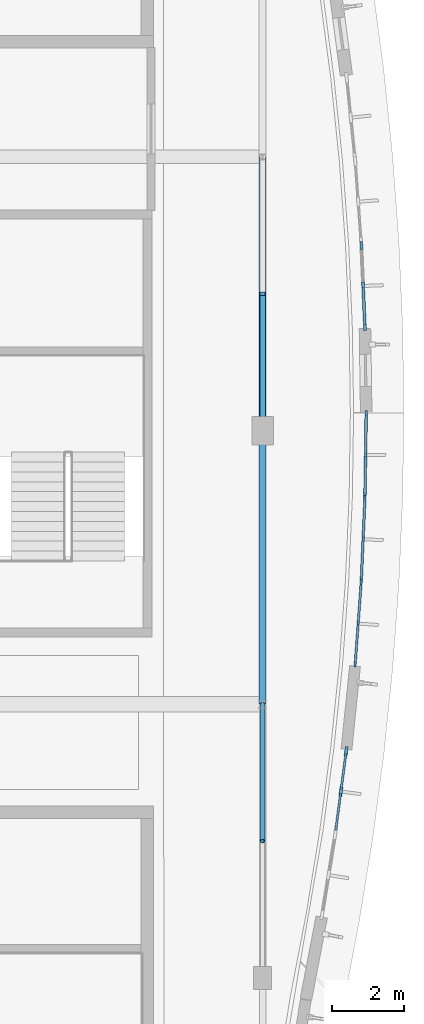
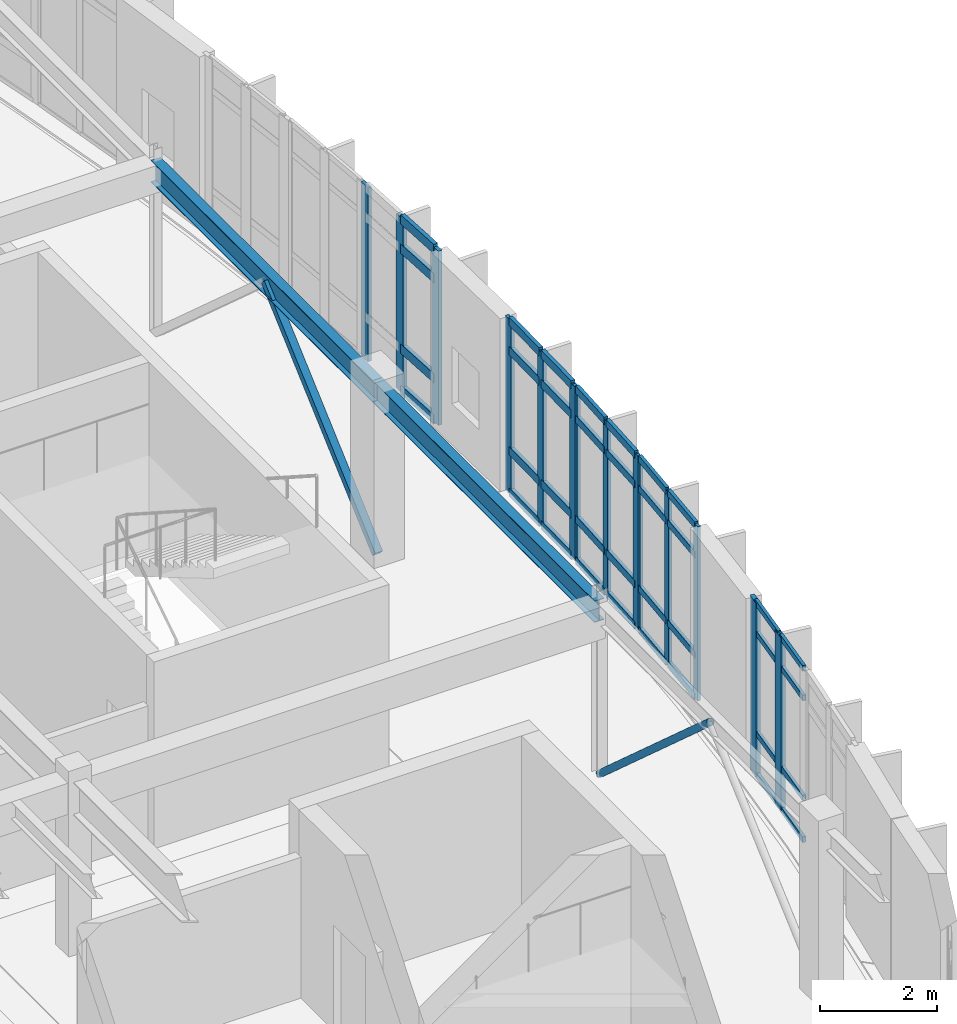
# One storey, part 47 of 105: 52 members, 2 beams, 5 elements without a shape of their own.
"""IFC4 building model written with IfcOpenShell, lengths in metres."""

from ifc_helpers import new_model, si_unit, direction, frame, origin, origin_2d, place, context, subcontext, project, spatial, rectangle, hollow_rectangle, hollow_circle, i_section, extrude, material, material_profile, profile_set, type_object, element, aggregate, save


model = new_model("IFC4")

# Units and contexts
model_context = context("Model", 3, precision=1e-05, world=origin(), true_north=direction((0.0, 1.0)))
body_context = subcontext(model_context, "Body", "Model", "MODEL_VIEW")
ifc_project = project(units=[si_unit("LENGTHUNIT", "METRE"), si_unit("AREAUNIT", "SQUARE_METRE"), si_unit("VOLUMEUNIT", "CUBIC_METRE"), si_unit("PLANEANGLEUNIT", "RADIAN"), si_unit("MASSUNIT", "GRAM", prefix="KILO")], contexts=[model_context])

# Site, building, storey
site_placement = place(None, origin())
site = spatial("IfcSite", under=ifc_project, at=site_placement, CompositionType="ELEMENT")
building_placement = place(site_placement, origin())
building = spatial("IfcBuilding", under=site, at=building_placement, Name="Corveleigh Park Community Centre", CompositionType="ELEMENT")
storey_placement = place(building_placement, frame((0.0, 0.0, 8.699951171875)))
storey = spatial("IfcBuildingStorey", under=building, at=storey_placement, Name="L02", CompositionType="ELEMENT", Elevation=8.699951171875)

# Beams
ifc_material_1 = material(Name="Steel S355", Category="steel")
ifc_material_profile_1 = material_profile(ifc_material_1, i_section(OverallWidth=0.18994140625, OverallDepth=0.453369140625, WebThickness=0.008544921875, FlangeThickness=0.0126953125, at=origin_2d()), Name="UKB 457x191x67", Category="steel")
ifc_profile_set_1 = profile_set([ifc_material_profile_1], Name="Steel S355")
beam_type_1 = type_object("IfcBeamType", Name="BM-STL-UKB457x67", PredefinedType="BEAM", material=ifc_profile_set_1)
beam_1_placement = place(storey_placement, frame((168.39990234375, 73.804931640625, 3.415283203125), z_axis=(0.0, 1.0, 0.0), x_axis=(-1.0, 0.0, 0.0)))
element("IfcBeam", 1, at=beam_1_placement, inside=storey, type_object=beam_type_1, Name="V4 Girder Y", PredefinedType="BEAM", context=body_context, shape_type="SweptSolid", body=[
    extrude(i_section(OverallWidth=0.18994140625, OverallDepth=0.453369140625, WebThickness=0.008544921875, FlangeThickness=0.0126953125, at=origin_2d()), origin(), (0.0, 0.0, 1.0), 7.590087890625),
])
ifc_material_profile_2 = material_profile(ifc_material_1, i_section(OverallWidth=0.1904296875, OverallDepth=0.45703125, WebThickness=0.009033203125, FlangeThickness=0.014404296875, at=origin_2d()), Name="UKB 457x191x74", Category="steel")
ifc_profile_set_2 = profile_set([ifc_material_profile_2], Name="Steel S355")
beam_type_2 = type_object("IfcBeamType", Name="BM-STL-UKB457x74", PredefinedType="BEAM", material=ifc_profile_set_2)
beam_2_placement = place(storey_placement, frame((168.39990234375, 81.405029296875, 3.41357421875), z_axis=(0.0, 1.0, 0.0), x_axis=(-1.0, 0.0, 0.0)))
element("IfcBeam", 2, at=beam_2_placement, inside=storey, type_object=beam_type_2, Name="V4 Girder Y", PredefinedType="BEAM", context=body_context, shape_type="SweptSolid", body=[
    extrude(i_section(OverallWidth=0.1904296875, OverallDepth=0.45703125, WebThickness=0.009033203125, FlangeThickness=0.014404296875, at=origin_2d()), origin(), (0.0, 0.0, 1.0), 7.590087890625),
])

# Curtain wall, members
ifc_material_2 = material(Name="Anodised aluminium 6063-T6", Category="aluminium")
curtain_wall_type = type_object("IfcCurtainWallType", Name="CW-SYS-V4-L01", PredefinedType="NOTDEFINED", material=ifc_material_2)
curtain_wall_1_placement = place(storey_placement, origin())
curtain_wall_1 = element("IfcCurtainWall", 3, at=curtain_wall_1_placement, inside=storey, type_object=curtain_wall_type, Name="V4 L02 Curtain Wall 367", PredefinedType="NOTDEFINED")
ifc_material_profile_3 = material_profile(ifc_material_2, rectangle(XDim=0.06005859375, YDim=0.159912109375, at=origin_2d()), Name="ALU-M60x160", Category="aluminium")
ifc_profile_set_3 = profile_set([ifc_material_profile_3], Name="Anodised aluminium 6063-T6")
member_type_1 = type_object("IfcMemberType", Name="CWM-60x160", PredefinedType="MULLION", material=ifc_profile_set_3)
member_1_placement = place(storey_placement, frame((171.13671875, 77.174072265625, 0.0), z_axis=(0.0, 0.0, 1.0), x_axis=(0.997328381483, -0.073048610443, 0.0)))
member_1 = element("IfcMember", 4, at=member_1_placement, type_object=member_type_1, Name="CW08 mullion 1", PredefinedType="MULLION", context=body_context, shape_type="SweptSolid", body=[
    extrude(rectangle(XDim=0.06005859375, YDim=0.159912109375, at=origin_2d()), origin(), (0.0, 0.0, 1.0), 3.64208984375),
])
member_2_placement = place(storey_placement, frame((171.053955078125, 76.04345703125, 0.0), z_axis=(0.0, 0.0, 1.0), x_axis=(0.997328381483, -0.073048610443, 0.0)))
member_2 = element("IfcMember", 5, at=member_2_placement, type_object=member_type_1, Name="CW08 mullion 2", PredefinedType="MULLION", context=body_context, shape_type="SweptSolid", body=[
    extrude(rectangle(XDim=0.06005859375, YDim=0.159912109375, at=origin_2d()), origin(), (0.0, 0.0, 1.0), 3.64208984375),
])
member_3_placement = place(storey_placement, frame((170.97119140625, 74.912841796875, 0.0), z_axis=(0.0, 0.0, 1.0), x_axis=(0.997328381483, -0.073048610443, 0.0)))
member_3 = element("IfcMember", 6, at=member_3_placement, type_object=member_type_1, Name="CW08 mullion 3", PredefinedType="MULLION", context=body_context, shape_type="SweptSolid", body=[
    extrude(rectangle(XDim=0.06005859375, YDim=0.159912109375, at=origin_2d()), origin(), (0.0, 0.0, 1.0), 3.64208984375),
])

curtain_wall_2_placement = place(storey_placement, origin())
curtain_wall_2 = element("IfcCurtainWall", 7, at=curtain_wall_2_placement, inside=storey, type_object=curtain_wall_type, Name="V4 L02 Curtain Wall 368", PredefinedType="NOTDEFINED")
ifc_material_profile_4 = material_profile(ifc_material_2, rectangle(XDim=0.06494140625, YDim=0.179931640625, at=origin_2d()), Name="ALU-M65x180", Category="aluminium")
ifc_profile_set_4 = profile_set([ifc_material_profile_4], Name="Anodised aluminium 6063-T6")
member_type_2 = type_object("IfcMemberType", Name="CWM-65x180", PredefinedType="MULLION", material=ifc_profile_set_4)
member_4_placement = place(storey_placement, frame((171.241455078125, 79.513427734375, 0.0), z_axis=(0.0, 0.0, 1.0), x_axis=(0.999019307224, -0.044276673248, 0.0)))
member_4 = element("IfcMember", 8, at=member_4_placement, type_object=member_type_2, Name="CW08 mullion 1", PredefinedType="MULLION", context=body_context, shape_type="SweptSolid", body=[
    extrude(rectangle(XDim=0.06494140625, YDim=0.179931640625, at=origin_2d()), origin(), (0.0, 0.0, 1.0), 3.64208984375),
])
member_5_placement = place(storey_placement, frame((171.19140625, 78.384033203125, 0.0), z_axis=(0.0, 0.0, 1.0), x_axis=(0.999019307224, -0.044276673248, 0.0)))
member_5 = element("IfcMember", 9, at=member_5_placement, type_object=member_type_2, Name="CW08 mullion 2", PredefinedType="MULLION", context=body_context, shape_type="SweptSolid", body=[
    extrude(rectangle(XDim=0.06494140625, YDim=0.179931640625, at=origin_2d()), origin(), (0.0, 0.0, 1.0), 3.64208984375),
])
member_6_placement = place(storey_placement, frame((171.141357421875, 77.25439453125, 0.0), z_axis=(0.0, 0.0, 1.0), x_axis=(0.999019307224, -0.044276673248, 0.0)))
member_6 = element("IfcMember", 10, at=member_6_placement, type_object=member_type_2, Name="CW08 mullion 3", PredefinedType="MULLION", context=body_context, shape_type="SweptSolid", body=[
    extrude(rectangle(XDim=0.06494140625, YDim=0.179931640625, at=origin_2d()), origin(), (0.0, 0.0, 1.0), 3.64208984375),
])

curtain_wall_3_placement = place(storey_placement, origin())
curtain_wall_3 = element("IfcCurtainWall", 11, at=curtain_wall_3_placement, inside=storey, type_object=curtain_wall_type, Name="V4 L02 Curtain Wall 369", PredefinedType="NOTDEFINED")
ifc_material_profile_5 = material_profile(ifc_material_2, rectangle(XDim=0.070068359375, YDim=0.199951171875, at=origin_2d()), Name="ALU-M70x200", Category="aluminium")
ifc_profile_set_5 = profile_set([ifc_material_profile_5], Name="Anodised aluminium 6063-T6")
member_type_3 = type_object("IfcMemberType", Name="CWM-70x200", PredefinedType="MULLION", material=ifc_profile_set_5)
member_7_placement = place(storey_placement, frame((171.2763671875, 81.85595703125, 0.0), z_axis=(0.0, 0.0, 1.0), x_axis=(0.999893275153, -0.014609527863, 0.0)))
member_7 = element("IfcMember", 12, at=member_7_placement, type_object=member_type_3, Name="CW08 mullion 1", PredefinedType="MULLION", context=body_context, shape_type="SweptSolid", body=[
    extrude(rectangle(XDim=0.070068359375, YDim=0.199951171875, at=origin_2d()), origin(), (0.0, 0.0, 1.0), 3.64208984375),
])
member_8_placement = place(storey_placement, frame((171.260009765625, 80.7275390625, 0.0), z_axis=(0.0, 0.0, 1.0), x_axis=(0.999893275153, -0.014609527863, 0.0)))
member_8 = element("IfcMember", 13, at=member_8_placement, type_object=member_type_3, Name="CW08 mullion 2", PredefinedType="MULLION", context=body_context, shape_type="SweptSolid", body=[
    extrude(rectangle(XDim=0.070068359375, YDim=0.199951171875, at=origin_2d()), origin(), (0.0, 0.0, 1.0), 3.64208984375),
])
member_9_placement = place(storey_placement, frame((171.243408203125, 79.598876953125, 0.0), z_axis=(0.0, 0.0, 1.0), x_axis=(0.999893275153, -0.014609527863, 0.0)))
member_9 = element("IfcMember", 14, at=member_9_placement, type_object=member_type_3, Name="CW08 mullion 3", PredefinedType="MULLION", context=body_context, shape_type="SweptSolid", body=[
    extrude(rectangle(XDim=0.070068359375, YDim=0.199951171875, at=origin_2d()), origin(), (0.0, 0.0, 1.0), 3.64208984375),
])

curtain_wall_4_placement = place(storey_placement, origin())
curtain_wall_4 = element("IfcCurtainWall", 15, at=curtain_wall_4_placement, inside=storey, type_object=curtain_wall_type, Name="V4 L02 Curtain Wall 370", PredefinedType="NOTDEFINED")
ifc_material_profile_6 = material_profile(ifc_material_2, rectangle(XDim=0.074951171875, YDim=0.219970703125, at=origin_2d()), Name="ALU-M75x220", Category="aluminium")
ifc_profile_set_6 = profile_set([ifc_material_profile_6], Name="Anodised aluminium 6063-T6")
member_type_4 = type_object("IfcMemberType", Name="CWM-75x220", PredefinedType="MULLION", material=ifc_profile_set_6)
member_10_placement = place(storey_placement, frame((171.1416015625, 86.54052734375, 0.0), z_axis=(0.0, 0.0, 1.0), x_axis=(0.999019307224, 0.044276673248, 0.0)))
member_10 = element("IfcMember", 16, at=member_10_placement, type_object=member_type_4, Name="CW08 mullion 1", PredefinedType="MULLION", context=body_context, shape_type="SweptSolid", body=[
    extrude(rectangle(XDim=0.074951171875, YDim=0.219970703125, at=origin_2d()), origin(), (0.0, 0.0, 1.0), 3.64208984375),
])
member_11_placement = place(storey_placement, frame((171.19140625, 85.416015625, 0.0), z_axis=(0.0, 0.0, 1.0), x_axis=(0.999019307224, 0.044276673248, 0.0)))
member_11 = element("IfcMember", 17, at=member_11_placement, type_object=member_type_4, Name="CW08 mullion 2", PredefinedType="MULLION", context=body_context, shape_type="SweptSolid", body=[
    extrude(rectangle(XDim=0.074951171875, YDim=0.219970703125, at=origin_2d()), origin(), (0.0, 0.0, 1.0), 3.64208984375),
])
member_12_placement = place(storey_placement, frame((171.241455078125, 84.29150390625, 0.0), z_axis=(0.0, 0.0, 1.0), x_axis=(0.999019307224, 0.044276673248, 0.0)))
member_12 = element("IfcMember", 18, at=member_12_placement, type_object=member_type_4, Name="CW08 mullion 3", PredefinedType="MULLION", context=body_context, shape_type="SweptSolid", body=[
    extrude(rectangle(XDim=0.074951171875, YDim=0.219970703125, at=origin_2d()), origin(), (0.0, 0.0, 1.0), 3.64208984375),
])

curtain_wall_5_placement = place(storey_placement, origin())
curtain_wall_5 = element("IfcCurtainWall", 19, at=curtain_wall_5_placement, inside=storey, type_object=curtain_wall_type, Name="V4 L02 Curtain Wall 366", PredefinedType="NOTDEFINED")
ifc_material_profile_7 = material_profile(ifc_material_2, rectangle(XDim=0.0849609375, YDim=0.27490234375, at=origin_2d()), Name="ALU-M85x275", Category="aluminium")
ifc_profile_set_7 = profile_set([ifc_material_profile_7], Name="Anodised aluminium 6063-T6")
member_type_5 = type_object("IfcMemberType", Name="CWM-85x275", PredefinedType="MULLION", material=ifc_profile_set_7)
member_13_placement = place(storey_placement, frame((170.721435546875, 72.490966796875, 0.0), z_axis=(0.0, 0.0, 1.0), x_axis=(0.991317738614, -0.131488178592, 0.0)))
member_13 = element("IfcMember", 20, at=member_13_placement, type_object=member_type_5, Name="CW08 mullion 1", PredefinedType="MULLION", context=body_context, shape_type="SweptSolid", body=[
    extrude(rectangle(XDim=0.0849609375, YDim=0.27490234375, at=origin_2d()), origin(), (0.0, 0.0, 1.0), 3.64208984375),
])
member_14_placement = place(storey_placement, frame((170.573974609375, 71.37939453125, 0.0), z_axis=(0.0, 0.0, 1.0), x_axis=(0.991317738614, -0.131488178592, 0.0)))
member_14 = element("IfcMember", 21, at=member_14_placement, type_object=member_type_5, Name="CW08 mullion 2", PredefinedType="MULLION", context=body_context, shape_type="SweptSolid", body=[
    extrude(rectangle(XDim=0.0849609375, YDim=0.27490234375, at=origin_2d()), origin(), (0.0, 0.0, 1.0), 3.64208984375),
])
ifc_material_profile_8 = material_profile(ifc_material_2, rectangle(XDim=0.06005859375, YDim=0.1201171875, at=origin_2d()), Name="ALU-T60x120", Category="aluminium")
ifc_profile_set_8 = profile_set([ifc_material_profile_8], Name="Anodised aluminium 6063-T6")
member_type_6 = type_object("IfcMemberType", Name="CWT-60x120", PredefinedType="USERDEFINED", material=ifc_profile_set_8)
member_15_placement = place(storey_placement, frame((170.7158203125, 72.44873046875, 0.030029296875), z_axis=(-0.13148456515, -0.991318217893, 0.0), x_axis=(0.991318217893, -0.13148456515, 0.0)))
member_15 = element("IfcMember", 22, at=member_15_placement, type_object=member_type_6, Name="CW08 transom 1.1", ObjectType="TRANSOM", PredefinedType="USERDEFINED", context=body_context, shape_type="SweptSolid", body=[
    extrude(rectangle(XDim=0.06005859375, YDim=0.1201171875, at=origin_2d()), origin(), (0.0, 0.0, 1.0), 1.0361328125),
])
member_16_placement = place(storey_placement, frame((170.7158203125, 72.44873046875, 0.900146484375), z_axis=(-0.13148456515, -0.991318217893, 0.0), x_axis=(0.991318217893, -0.13148456515, 0.0)))
member_16 = element("IfcMember", 23, at=member_16_placement, type_object=member_type_6, Name="CW08 transom 1.2", ObjectType="TRANSOM", PredefinedType="USERDEFINED", context=body_context, shape_type="SweptSolid", body=[
    extrude(rectangle(XDim=0.06005859375, YDim=0.1201171875, at=origin_2d()), origin(), (0.0, 0.0, 1.0), 1.0361328125),
])
member_17_placement = place(storey_placement, frame((170.7158203125, 72.44873046875, 2.991943359375), z_axis=(-0.13148456515, -0.991318217893, 0.0), x_axis=(0.991318217893, -0.13148456515, 0.0)))
member_17 = element("IfcMember", 24, at=member_17_placement, type_object=member_type_6, Name="CW08 transom 1.3", ObjectType="TRANSOM", PredefinedType="USERDEFINED", context=body_context, shape_type="SweptSolid", body=[
    extrude(rectangle(XDim=0.06005859375, YDim=0.1201171875, at=origin_2d()), origin(), (0.0, 0.0, 1.0), 1.0361328125),
])
member_18_placement = place(storey_placement, frame((170.7158203125, 72.44873046875, 3.612060546875), z_axis=(-0.13148456515, -0.991318217893, 0.0), x_axis=(0.991318217893, -0.13148456515, 0.0)))
member_18 = element("IfcMember", 25, at=member_18_placement, type_object=member_type_6, Name="CW08 transom 1.4", ObjectType="TRANSOM", PredefinedType="USERDEFINED", context=body_context, shape_type="SweptSolid", body=[
    extrude(rectangle(XDim=0.06005859375, YDim=0.1201171875, at=origin_2d()), origin(), (0.0, 0.0, 1.0), 1.0361328125),
])
member_19_placement = place(storey_placement, frame((170.568359375, 71.33740234375, 0.030029296875), z_axis=(-0.13148456515, -0.991318217893, 0.0), x_axis=(0.991318217893, -0.13148456515, 0.0)))
member_19 = element("IfcMember", 26, at=member_19_placement, type_object=member_type_6, Name="CW08 transom 2.1", ObjectType="TRANSOM", PredefinedType="USERDEFINED", context=body_context, shape_type="SweptSolid", body=[
    extrude(rectangle(XDim=0.06005859375, YDim=0.1201171875, at=origin_2d()), origin(), (0.0, 0.0, 1.0), 1.0361328125),
])
member_20_placement = place(storey_placement, frame((170.568359375, 71.33740234375, 0.900146484375), z_axis=(-0.13148456515, -0.991318217893, 0.0), x_axis=(0.991318217893, -0.13148456515, 0.0)))
member_20 = element("IfcMember", 27, at=member_20_placement, type_object=member_type_6, Name="CW08 transom 2.2", ObjectType="TRANSOM", PredefinedType="USERDEFINED", context=body_context, shape_type="SweptSolid", body=[
    extrude(rectangle(XDim=0.06005859375, YDim=0.1201171875, at=origin_2d()), origin(), (0.0, 0.0, 1.0), 1.0361328125),
])
member_21_placement = place(storey_placement, frame((170.568359375, 71.33740234375, 2.991943359375), z_axis=(-0.13148456515, -0.991318217893, 0.0), x_axis=(0.991318217893, -0.13148456515, 0.0)))
member_21 = element("IfcMember", 28, at=member_21_placement, type_object=member_type_6, Name="CW08 transom 2.3", ObjectType="TRANSOM", PredefinedType="USERDEFINED", context=body_context, shape_type="SweptSolid", body=[
    extrude(rectangle(XDim=0.06005859375, YDim=0.1201171875, at=origin_2d()), origin(), (0.0, 0.0, 1.0), 1.0361328125),
])
member_22_placement = place(storey_placement, frame((170.568359375, 71.33740234375, 3.612060546875), z_axis=(-0.13148456515, -0.991318217893, 0.0), x_axis=(0.991318217893, -0.13148456515, 0.0)))
member_22 = element("IfcMember", 29, at=member_22_placement, type_object=member_type_6, Name="CW08 transom 2.4", ObjectType="TRANSOM", PredefinedType="USERDEFINED", context=body_context, shape_type="SweptSolid", body=[
    extrude(rectangle(XDim=0.06005859375, YDim=0.1201171875, at=origin_2d()), origin(), (0.0, 0.0, 1.0), 1.0361328125),
])
aggregate(curtain_wall_5, [member_13, member_14, member_15, member_16, member_17, member_18, member_19, member_20, member_21, member_22])

# Member
ifc_material_profile_9 = material_profile(ifc_material_2, rectangle(XDim=0.06494140625, YDim=0.139892578125, at=origin_2d()), Name="ALU-T65x140", Category="aluminium")
ifc_profile_set_9 = profile_set([ifc_material_profile_9], Name="Anodised aluminium 6063-T6")
member_type_7 = type_object("IfcMemberType", Name="CWT-65x140", PredefinedType="USERDEFINED", material=ifc_profile_set_9)
member_23_placement = place(storey_placement, frame((171.134521484375, 77.14404296875, 0.032470703125), z_axis=(-0.073008745151, -0.997331300587, 0.0), x_axis=(0.997331300587, -0.073008745151, 0.0)))
member_23 = element("IfcMember", 30, at=member_23_placement, type_object=member_type_7, Name="CW08 transom 1.1", ObjectType="TRANSOM", PredefinedType="USERDEFINED", context=body_context, shape_type="SweptSolid", body=[
    extrude(rectangle(XDim=0.06494140625, YDim=0.139892578125, at=origin_2d()), origin(), (0.0, 0.0, 1.0), 1.073486328125),
])

member_24_placement = place(storey_placement, frame((171.134521484375, 77.14404296875, 0.900146484375), z_axis=(-0.073008745151, -0.997331300587, 0.0), x_axis=(0.997331300587, -0.073008745151, 0.0)))
member_24 = element("IfcMember", 31, at=member_24_placement, type_object=member_type_7, Name="CW08 transom 1.2", ObjectType="TRANSOM", PredefinedType="USERDEFINED", context=body_context, shape_type="SweptSolid", body=[
    extrude(rectangle(XDim=0.06494140625, YDim=0.139892578125, at=origin_2d()), origin(), (0.0, 0.0, 1.0), 1.073486328125),
])

member_25_placement = place(storey_placement, frame((171.134521484375, 77.14404296875, 2.991943359375), z_axis=(-0.073008745151, -0.997331300587, 0.0), x_axis=(0.997331300587, -0.073008745151, 0.0)))
member_25 = element("IfcMember", 32, at=member_25_placement, type_object=member_type_7, Name="CW08 transom 1.3", ObjectType="TRANSOM", PredefinedType="USERDEFINED", context=body_context, shape_type="SweptSolid", body=[
    extrude(rectangle(XDim=0.06494140625, YDim=0.139892578125, at=origin_2d()), origin(), (0.0, 0.0, 1.0), 1.073486328125),
])

member_26_placement = place(storey_placement, frame((171.134521484375, 77.14404296875, 3.609619140625), z_axis=(-0.073008745151, -0.997331300587, 0.0), x_axis=(0.997331300587, -0.073008745151, 0.0)))
member_26 = element("IfcMember", 33, at=member_26_placement, type_object=member_type_7, Name="CW08 transom 1.4", ObjectType="TRANSOM", PredefinedType="USERDEFINED", context=body_context, shape_type="SweptSolid", body=[
    extrude(rectangle(XDim=0.06494140625, YDim=0.139892578125, at=origin_2d()), origin(), (0.0, 0.0, 1.0), 1.073486328125),
])

member_27_placement = place(storey_placement, frame((171.0517578125, 76.013671875, 0.032470703125), z_axis=(-0.072992187987, -0.997332512502, 0.0), x_axis=(0.997332512502, -0.072992187987, 0.0)))
member_27 = element("IfcMember", 34, at=member_27_placement, type_object=member_type_7, Name="CW08 transom 2.1", ObjectType="TRANSOM", PredefinedType="USERDEFINED", context=body_context, shape_type="SweptSolid", body=[
    extrude(rectangle(XDim=0.06494140625, YDim=0.139892578125, at=origin_2d()), origin(), (0.0, 0.0, 1.0), 1.07373046875),
])

member_28_placement = place(storey_placement, frame((171.0517578125, 76.013671875, 0.900146484375), z_axis=(-0.072992187987, -0.997332512502, 0.0), x_axis=(0.997332512502, -0.072992187987, 0.0)))
member_28 = element("IfcMember", 35, at=member_28_placement, type_object=member_type_7, Name="CW08 transom 2.2", ObjectType="TRANSOM", PredefinedType="USERDEFINED", context=body_context, shape_type="SweptSolid", body=[
    extrude(rectangle(XDim=0.06494140625, YDim=0.139892578125, at=origin_2d()), origin(), (0.0, 0.0, 1.0), 1.07373046875),
])

member_29_placement = place(storey_placement, frame((171.0517578125, 76.013671875, 2.991943359375), z_axis=(-0.072992187987, -0.997332512502, 0.0), x_axis=(0.997332512502, -0.072992187987, 0.0)))
member_29 = element("IfcMember", 36, at=member_29_placement, type_object=member_type_7, Name="CW08 transom 2.3", ObjectType="TRANSOM", PredefinedType="USERDEFINED", context=body_context, shape_type="SweptSolid", body=[
    extrude(rectangle(XDim=0.06494140625, YDim=0.139892578125, at=origin_2d()), origin(), (0.0, 0.0, 1.0), 1.07373046875),
])

member_30_placement = place(storey_placement, frame((171.0517578125, 76.013671875, 3.609619140625), z_axis=(-0.072992187987, -0.997332512502, 0.0), x_axis=(0.997332512502, -0.072992187987, 0.0)))
member_30 = element("IfcMember", 37, at=member_30_placement, type_object=member_type_7, Name="CW08 transom 2.4", ObjectType="TRANSOM", PredefinedType="USERDEFINED", context=body_context, shape_type="SweptSolid", body=[
    extrude(rectangle(XDim=0.06494140625, YDim=0.139892578125, at=origin_2d()), origin(), (0.0, 0.0, 1.0), 1.07373046875),
])

aggregate(curtain_wall_1, [member_1, member_2, member_3, member_23, member_24, member_25, member_26, member_27, member_28, member_29, member_30])

ifc_material_profile_10 = material_profile(ifc_material_2, rectangle(XDim=0.070068359375, YDim=0.155029296875, at=origin_2d()), Name="ALU-T70x155", Category="aluminium")
ifc_profile_set_10 = profile_set([ifc_material_profile_10], Name="Anodised aluminium 6063-T6")
member_type_8 = type_object("IfcMemberType", Name="CWT-70x155", PredefinedType="USERDEFINED", material=ifc_profile_set_10)
member_31_placement = place(storey_placement, frame((171.240234375, 79.48095703125, 0.03515625), z_axis=(-0.044451431202, -0.999011546612, 0.0), x_axis=(0.999011546612, -0.044451431202, 0.0)))
member_31 = element("IfcMember", 38, at=member_31_placement, type_object=member_type_8, Name="CW08 transom 1.1", ObjectType="TRANSOM", PredefinedType="USERDEFINED", context=body_context, shape_type="SweptSolid", body=[
    extrude(rectangle(XDim=0.070068359375, YDim=0.155029296875, at=origin_2d()), origin(), (0.0, 0.0, 1.0), 1.0654296875),
])

member_32_placement = place(storey_placement, frame((171.240234375, 79.48095703125, 0.900146484375), z_axis=(-0.044451431202, -0.999011546612, 0.0), x_axis=(0.999011546612, -0.044451431202, 0.0)))
member_32 = element("IfcMember", 39, at=member_32_placement, type_object=member_type_8, Name="CW08 transom 1.2", ObjectType="TRANSOM", PredefinedType="USERDEFINED", context=body_context, shape_type="SweptSolid", body=[
    extrude(rectangle(XDim=0.070068359375, YDim=0.155029296875, at=origin_2d()), origin(), (0.0, 0.0, 1.0), 1.0654296875),
])

member_33_placement = place(storey_placement, frame((171.240234375, 79.48095703125, 2.991943359375), z_axis=(-0.044451431202, -0.999011546612, 0.0), x_axis=(0.999011546612, -0.044451431202, 0.0)))
member_33 = element("IfcMember", 40, at=member_33_placement, type_object=member_type_8, Name="CW08 transom 1.3", ObjectType="TRANSOM", PredefinedType="USERDEFINED", context=body_context, shape_type="SweptSolid", body=[
    extrude(rectangle(XDim=0.070068359375, YDim=0.155029296875, at=origin_2d()), origin(), (0.0, 0.0, 1.0), 1.0654296875),
])

member_34_placement = place(storey_placement, frame((171.240234375, 79.48095703125, 3.60693359375), z_axis=(-0.044451431202, -0.999011546612, 0.0), x_axis=(0.999011546612, -0.044451431202, 0.0)))
member_34 = element("IfcMember", 41, at=member_34_placement, type_object=member_type_8, Name="CW08 transom 1.4", ObjectType="TRANSOM", PredefinedType="USERDEFINED", context=body_context, shape_type="SweptSolid", body=[
    extrude(rectangle(XDim=0.070068359375, YDim=0.155029296875, at=origin_2d()), origin(), (0.0, 0.0, 1.0), 1.0654296875),
])

member_35_placement = place(storey_placement, frame((171.18994140625, 78.3515625, 0.03515625), z_axis=(-0.044212628691, -0.999022143631, 0.0), x_axis=(0.999022143631, -0.044212628691, 0.0)))
member_35 = element("IfcMember", 42, at=member_35_placement, type_object=member_type_8, Name="CW08 transom 2.1", ObjectType="TRANSOM", PredefinedType="USERDEFINED", context=body_context, shape_type="SweptSolid", body=[
    extrude(rectangle(XDim=0.070068359375, YDim=0.155029296875, at=origin_2d()), origin(), (0.0, 0.0, 1.0), 1.065673828125),
])

member_36_placement = place(storey_placement, frame((171.18994140625, 78.3515625, 0.900146484375), z_axis=(-0.044212628691, -0.999022143631, 0.0), x_axis=(0.999022143631, -0.044212628691, 0.0)))
member_36 = element("IfcMember", 43, at=member_36_placement, type_object=member_type_8, Name="CW08 transom 2.2", ObjectType="TRANSOM", PredefinedType="USERDEFINED", context=body_context, shape_type="SweptSolid", body=[
    extrude(rectangle(XDim=0.070068359375, YDim=0.155029296875, at=origin_2d()), origin(), (0.0, 0.0, 1.0), 1.065673828125),
])

member_37_placement = place(storey_placement, frame((171.18994140625, 78.3515625, 2.991943359375), z_axis=(-0.044212628691, -0.999022143631, 0.0), x_axis=(0.999022143631, -0.044212628691, 0.0)))
member_37 = element("IfcMember", 44, at=member_37_placement, type_object=member_type_8, Name="CW08 transom 2.3", ObjectType="TRANSOM", PredefinedType="USERDEFINED", context=body_context, shape_type="SweptSolid", body=[
    extrude(rectangle(XDim=0.070068359375, YDim=0.155029296875, at=origin_2d()), origin(), (0.0, 0.0, 1.0), 1.065673828125),
])

member_38_placement = place(storey_placement, frame((171.18994140625, 78.3515625, 3.60693359375), z_axis=(-0.044212628691, -0.999022143631, 0.0), x_axis=(0.999022143631, -0.044212628691, 0.0)))
member_38 = element("IfcMember", 45, at=member_38_placement, type_object=member_type_8, Name="CW08 transom 2.4", ObjectType="TRANSOM", PredefinedType="USERDEFINED", context=body_context, shape_type="SweptSolid", body=[
    extrude(rectangle(XDim=0.070068359375, YDim=0.155029296875, at=origin_2d()), origin(), (0.0, 0.0, 1.0), 1.065673828125),
])

aggregate(curtain_wall_2, [member_4, member_5, member_6, member_31, member_32, member_33, member_34, member_35, member_36, member_37, member_38])

ifc_material_profile_11 = material_profile(ifc_material_2, rectangle(XDim=0.074951171875, YDim=0.175048828125, at=origin_2d()), Name="ALU-T75x175", Category="aluminium")
ifc_profile_set_11 = profile_set([ifc_material_profile_11], Name="Anodised aluminium 6063-T6")
member_type_9 = type_object("IfcMemberType", Name="CWT-75x175", PredefinedType="USERDEFINED", material=ifc_profile_set_11)
member_39_placement = place(storey_placement, frame((171.27587890625, 81.821044921875, 0.03759765625), z_axis=(-0.014527986897, -0.999894463229, 0.0), x_axis=(0.999894463229, -0.014527986897, 0.0)))
member_39 = element("IfcMember", 46, at=member_39_placement, type_object=member_type_9, Name="CW08 transom 1.1", ObjectType="TRANSOM", PredefinedType="USERDEFINED", context=body_context, shape_type="SweptSolid", body=[
    extrude(rectangle(XDim=0.074951171875, YDim=0.175048828125, at=origin_2d()), origin(), (0.0, 0.0, 1.0), 1.05859375),
])

member_40_placement = place(storey_placement, frame((171.27587890625, 81.821044921875, 0.900146484375), z_axis=(-0.014527986897, -0.999894463229, 0.0), x_axis=(0.999894463229, -0.014527986897, 0.0)))
member_40 = element("IfcMember", 47, at=member_40_placement, type_object=member_type_9, Name="CW08 transom 1.2", ObjectType="TRANSOM", PredefinedType="USERDEFINED", context=body_context, shape_type="SweptSolid", body=[
    extrude(rectangle(XDim=0.074951171875, YDim=0.175048828125, at=origin_2d()), origin(), (0.0, 0.0, 1.0), 1.05859375),
])

member_41_placement = place(storey_placement, frame((171.27587890625, 81.821044921875, 2.991943359375), z_axis=(-0.014527986897, -0.999894463229, 0.0), x_axis=(0.999894463229, -0.014527986897, 0.0)))
member_41 = element("IfcMember", 48, at=member_41_placement, type_object=member_type_9, Name="CW08 transom 1.3", ObjectType="TRANSOM", PredefinedType="USERDEFINED", context=body_context, shape_type="SweptSolid", body=[
    extrude(rectangle(XDim=0.074951171875, YDim=0.175048828125, at=origin_2d()), origin(), (0.0, 0.0, 1.0), 1.05859375),
])

member_42_placement = place(storey_placement, frame((171.27587890625, 81.821044921875, 3.6044921875), z_axis=(-0.014527986897, -0.999894463229, 0.0), x_axis=(0.999894463229, -0.014527986897, 0.0)))
member_42 = element("IfcMember", 49, at=member_42_placement, type_object=member_type_9, Name="CW08 transom 1.4", ObjectType="TRANSOM", PredefinedType="USERDEFINED", context=body_context, shape_type="SweptSolid", body=[
    extrude(rectangle(XDim=0.074951171875, YDim=0.175048828125, at=origin_2d()), origin(), (0.0, 0.0, 1.0), 1.05859375),
])

member_43_placement = place(storey_placement, frame((171.259521484375, 80.6923828125, 0.03759765625), z_axis=(-0.014531337512, -0.999894414541, 0.0), x_axis=(0.999894414541, -0.014531337512, 0.0)))
member_43 = element("IfcMember", 50, at=member_43_placement, type_object=member_type_9, Name="CW08 transom 2.1", ObjectType="TRANSOM", PredefinedType="USERDEFINED", context=body_context, shape_type="SweptSolid", body=[
    extrude(rectangle(XDim=0.074951171875, YDim=0.175048828125, at=origin_2d()), origin(), (0.0, 0.0, 1.0), 1.058349609375),
])

member_44_placement = place(storey_placement, frame((171.259521484375, 80.6923828125, 0.900146484375), z_axis=(-0.014531337512, -0.999894414541, 0.0), x_axis=(0.999894414541, -0.014531337512, 0.0)))
member_44 = element("IfcMember", 51, at=member_44_placement, type_object=member_type_9, Name="CW08 transom 2.2", ObjectType="TRANSOM", PredefinedType="USERDEFINED", context=body_context, shape_type="SweptSolid", body=[
    extrude(rectangle(XDim=0.074951171875, YDim=0.175048828125, at=origin_2d()), origin(), (0.0, 0.0, 1.0), 1.058349609375),
])

member_45_placement = place(storey_placement, frame((171.259521484375, 80.6923828125, 2.991943359375), z_axis=(-0.014531337512, -0.999894414541, 0.0), x_axis=(0.999894414541, -0.014531337512, 0.0)))
member_45 = element("IfcMember", 52, at=member_45_placement, type_object=member_type_9, Name="CW08 transom 2.3", ObjectType="TRANSOM", PredefinedType="USERDEFINED", context=body_context, shape_type="SweptSolid", body=[
    extrude(rectangle(XDim=0.074951171875, YDim=0.175048828125, at=origin_2d()), origin(), (0.0, 0.0, 1.0), 1.058349609375),
])

member_46_placement = place(storey_placement, frame((171.259521484375, 80.6923828125, 3.6044921875), z_axis=(-0.014531337512, -0.999894414541, 0.0), x_axis=(0.999894414541, -0.014531337512, 0.0)))
member_46 = element("IfcMember", 53, at=member_46_placement, type_object=member_type_9, Name="CW08 transom 2.4", ObjectType="TRANSOM", PredefinedType="USERDEFINED", context=body_context, shape_type="SweptSolid", body=[
    extrude(rectangle(XDim=0.074951171875, YDim=0.175048828125, at=origin_2d()), origin(), (0.0, 0.0, 1.0), 1.058349609375),
])

aggregate(curtain_wall_3, [member_7, member_8, member_9, member_39, member_40, member_41, member_42, member_43, member_44, member_45, member_46])

ifc_material_profile_12 = material_profile(ifc_material_2, rectangle(XDim=0.080078125, YDim=0.195068359375, at=origin_2d()), Name="ALU-T80x195", Category="aluminium")
ifc_profile_set_12 = profile_set([ifc_material_profile_12], Name="Anodised aluminium 6063-T6")
member_type_10 = type_object("IfcMemberType", Name="CWT-80x195", PredefinedType="USERDEFINED", material=ifc_profile_set_12)
member_47_placement = place(storey_placement, frame((171.193115234375, 85.37841796875, 0.0400390625), z_axis=(0.044385151957, -0.999014493531, 0.0), x_axis=(0.999014493531, 0.044385151957, 0.0)))
member_47 = element("IfcMember", 54, at=member_47_placement, type_object=member_type_10, Name="CW08 transom 2.1", ObjectType="TRANSOM", PredefinedType="USERDEFINED", context=body_context, shape_type="SweptSolid", body=[
    extrude(rectangle(XDim=0.080078125, YDim=0.195068359375, at=origin_2d()), origin(), (0.0, 0.0, 1.0), 1.050537109375),
])

member_48_placement = place(storey_placement, frame((171.193115234375, 85.37841796875, 0.900146484375), z_axis=(0.044385151957, -0.999014493531, 0.0), x_axis=(0.999014493531, 0.044385151957, 0.0)))
member_48 = element("IfcMember", 55, at=member_48_placement, type_object=member_type_10, Name="CW08 transom 2.2", ObjectType="TRANSOM", PredefinedType="USERDEFINED", context=body_context, shape_type="SweptSolid", body=[
    extrude(rectangle(XDim=0.080078125, YDim=0.195068359375, at=origin_2d()), origin(), (0.0, 0.0, 1.0), 1.050537109375),
])

member_49_placement = place(storey_placement, frame((171.193115234375, 85.37841796875, 2.991943359375), z_axis=(0.044385151957, -0.999014493531, 0.0), x_axis=(0.999014493531, 0.044385151957, 0.0)))
member_49 = element("IfcMember", 56, at=member_49_placement, type_object=member_type_10, Name="CW08 transom 2.3", ObjectType="TRANSOM", PredefinedType="USERDEFINED", context=body_context, shape_type="SweptSolid", body=[
    extrude(rectangle(XDim=0.080078125, YDim=0.195068359375, at=origin_2d()), origin(), (0.0, 0.0, 1.0), 1.050537109375),
])

member_50_placement = place(storey_placement, frame((171.193115234375, 85.37841796875, 3.60205078125), z_axis=(0.044385151957, -0.999014493531, 0.0), x_axis=(0.999014493531, 0.044385151957, 0.0)))
member_50 = element("IfcMember", 57, at=member_50_placement, type_object=member_type_10, Name="CW08 transom 2.4", ObjectType="TRANSOM", PredefinedType="USERDEFINED", context=body_context, shape_type="SweptSolid", body=[
    extrude(rectangle(XDim=0.080078125, YDim=0.195068359375, at=origin_2d()), origin(), (0.0, 0.0, 1.0), 1.050537109375),
])

aggregate(curtain_wall_4, [member_10, member_11, member_12, member_47, member_48, member_49, member_50])

# Members
ifc_material_profile_13 = material_profile(ifc_material_1, hollow_circle(Radius=0.06982421875, WallThickness=0.008056640625, at=origin_2d()), Name="CHS 139.7x8.0", Category="steel")
ifc_profile_set_13 = profile_set([ifc_material_profile_13], Name="Steel S355")
member_type_11 = type_object("IfcMemberType", Name="MEM-BRC-CHS140", PredefinedType="BRACE", material=ifc_profile_set_13)
member_51_placement = place(storey_placement, frame((168.39990234375, 73.800048828125, 0.0), z_axis=(0.0, -0.746016744516, 0.665927185886), x_axis=(1.0, 0.0, 0.0)))
element("IfcMember", 58, at=member_51_placement, inside=storey, type_object=member_type_11, Name="Spine chevron brace", PredefinedType="BRACE", context=body_context, shape_type="SweptSolid", body=[
    extrude(hollow_circle(Radius=0.06982421875, WallThickness=0.008056640625, at=origin_2d()), origin(), (0.0, 0.0, 1.0), 5.09375),
])
ifc_material_profile_14 = material_profile(ifc_material_1, hollow_rectangle(XDim=0.14990234375, YDim=0.14990234375, WallThickness=0.008056640625, at=origin_2d()), Name="SHS 150x150x8.0", Category="steel")
ifc_profile_set_14 = profile_set([ifc_material_profile_14], Name="Steel S355")
member_type_12 = type_object("IfcMemberType", Name="MEM-BRC-SHS150", PredefinedType="BRACE", material=ifc_profile_set_14)
member_52_placement = place(storey_placement, frame((168.39990234375, 81.39990234375, 0.0), z_axis=(0.0, 0.746016744516, 0.665927185886), x_axis=(-1.0, 0.0, 0.0)))
element("IfcMember", 59, at=member_52_placement, inside=storey, type_object=member_type_12, Name="Spine chevron brace", PredefinedType="BRACE", context=body_context, shape_type="SweptSolid", body=[
    extrude(hollow_rectangle(XDim=0.14990234375, YDim=0.14990234375, WallThickness=0.008056640625, at=origin_2d()), origin(), (0.0, 0.0, 1.0), 5.09375),
])

save(model, "model.ifc")
